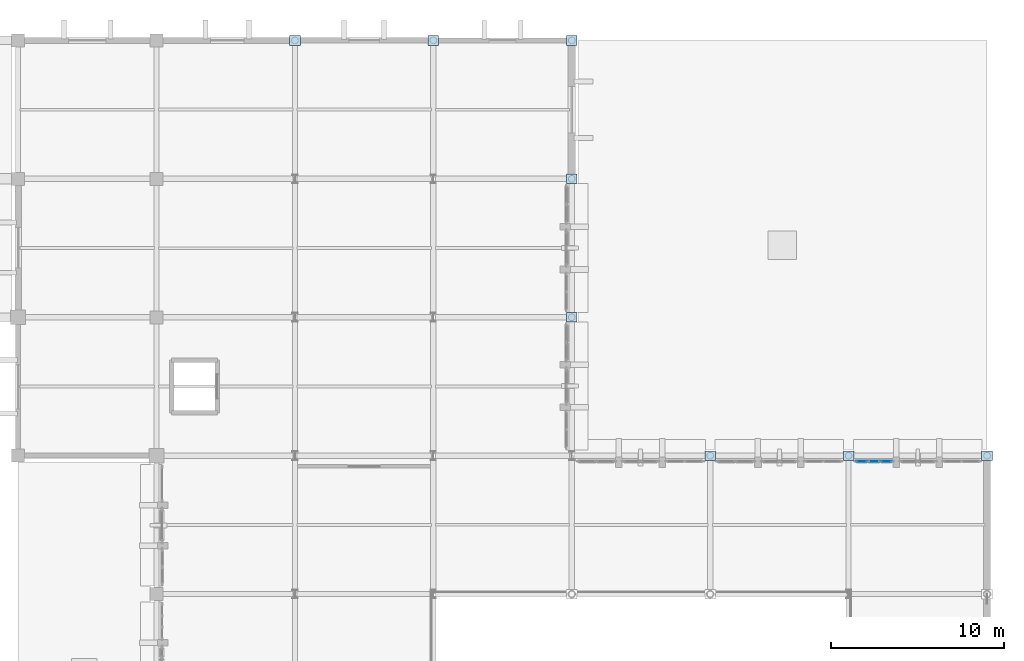
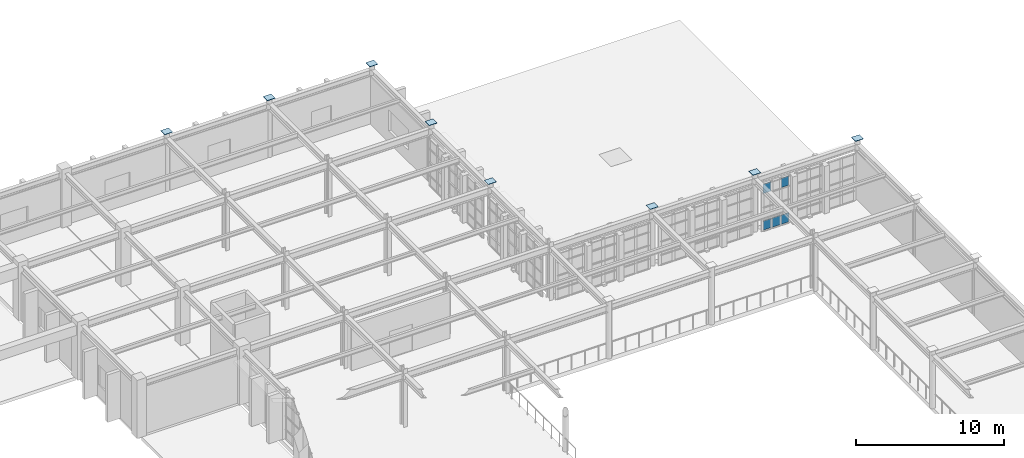
# One storey, part 132 of 155: 13 plates, 1 element without a shape of its own.
"""IFC4 building model written with IfcOpenShell, lengths in metres."""

from ifc_helpers import new_model, si_unit, direction, frame, origin, origin_2d, place, context, subcontext, project, spatial, rectangle, extrude, material, layer, layer_set, type_object, element, aggregate, save


model = new_model("IFC4")

# Units and contexts
model_context = context("Model", 3, precision=1e-05, world=origin(), true_north=direction((0.0, 1.0)))
body_context = subcontext(model_context, "Body", "Model", "MODEL_VIEW")
ifc_project = project(units=[si_unit("LENGTHUNIT", "METRE"), si_unit("AREAUNIT", "SQUARE_METRE"), si_unit("VOLUMEUNIT", "CUBIC_METRE"), si_unit("PLANEANGLEUNIT", "RADIAN"), si_unit("MASSUNIT", "GRAM", prefix="KILO")], contexts=[model_context])

# Site, building, storey
site_placement = place(None, origin())
site = spatial("IfcSite", under=ifc_project, at=site_placement, CompositionType="ELEMENT")
building_placement = place(site_placement, origin())
building = spatial("IfcBuilding", under=site, at=building_placement, Name="Tazarka Park Arena", CompositionType="ELEMENT")
storey_placement = place(building_placement, frame((0.0, 0.0, 5.39990234375)))
storey = spatial("IfcBuildingStorey", under=building, at=storey_placement, Name="L01", CompositionType="ELEMENT", Elevation=5.39990234375)

# Curtain wall, plates
ifc_material_1 = material(Name="Aluminium and low-e glass", Category="aluminium")
ifc_layer_1 = layer(ifc_material_1, 0.179931640625, Name="Aluminium and low-e glass")
ifc_layer_set_1 = layer_set([ifc_layer_1], Name="Aluminium and low-e glass")
curtain_wall_type = type_object("IfcCurtainWallType", Name="CW-10", PredefinedType="NOTDEFINED", material=ifc_layer_set_1)
curtain_wall_placement = place(storey_placement, origin())
curtain_wall = element("IfcCurtainWall", 1, at=curtain_wall_placement, inside=storey, type_object=curtain_wall_type, Name="Curtain Wall CWA-L01-190", PredefinedType="NOTDEFINED")
ifc_material_2 = material(Name="Triple acoustic solar glazing", Category="glass")
ifc_layer_2 = layer(ifc_material_2, 0.031982421875, Name="Triple acoustic solar glazing")
ifc_layer_set_2 = layer_set([ifc_layer_2], Name="Triple acoustic solar glazing")
plate_type_1 = type_object("IfcPlateType", Name="CWP-02", PredefinedType="CURTAIN_PANEL", material=ifc_layer_set_2)
plate_1_placement = place(storey_placement, frame((176.7607421875, 103.679931640625, 0.065185546875), z_axis=(0.0, 0.0, 1.0), x_axis=(1.0, 0.0, 0.0)))
plate_1 = element("IfcPlate", 2, at=plate_1_placement, type_object=plate_type_1, Name="CW-10 panel 1.1", PredefinedType="CURTAIN_PANEL", context=body_context, shape_type="SweptSolid", body=[
    extrude(rectangle(XDim=0.625244140625, YDim=0.031982421875, at=origin_2d()), origin(), (0.0, 0.0, 1.0), 0.75244140625),
])
plate_2_placement = place(storey_placement, frame((176.7607421875, 103.679931640625, 3.08251953125), z_axis=(0.0, 0.0, 1.0), x_axis=(1.0, 0.0, 0.0)))
plate_2 = element("IfcPlate", 3, at=plate_2_placement, type_object=plate_type_1, Name="CW-10 panel 1.4", PredefinedType="CURTAIN_PANEL", context=body_context, shape_type="SweptSolid", body=[
    extrude(rectangle(XDim=0.625244140625, YDim=0.031982421875, at=origin_2d()), origin(), (0.0, 0.0, 1.0), 0.762451171875),
])
plate_3_placement = place(storey_placement, frame((177.467041015625, 103.679931640625, 0.065185546875), z_axis=(0.0, 0.0, 1.0), x_axis=(1.0, 0.0, 0.0)))
plate_3 = element("IfcPlate", 4, at=plate_3_placement, type_object=plate_type_1, Name="CW-10 panel 2.1", PredefinedType="CURTAIN_PANEL", context=body_context, shape_type="SweptSolid", body=[
    extrude(rectangle(XDim=0.65771484375, YDim=0.031982421875, at=origin_2d()), origin(), (0.0, 0.0, 1.0), 0.75244140625),
])
plate_4_placement = place(storey_placement, frame((178.173583984375, 103.679931640625, 0.065185546875), z_axis=(0.0, 0.0, 1.0), x_axis=(1.0, 0.0, 0.0)))
plate_4 = element("IfcPlate", 5, at=plate_4_placement, type_object=plate_type_1, Name="CW-10 panel 3.1", PredefinedType="CURTAIN_PANEL", context=body_context, shape_type="SweptSolid", body=[
    extrude(rectangle(XDim=0.625244140625, YDim=0.031982421875, at=origin_2d()), origin(), (0.0, 0.0, 1.0), 0.75244140625),
])
plate_5_placement = place(storey_placement, frame((178.173583984375, 103.679931640625, 3.08251953125), z_axis=(0.0, 0.0, 1.0), x_axis=(1.0, 0.0, 0.0)))
plate_5 = element("IfcPlate", 6, at=plate_5_placement, type_object=plate_type_1, Name="CW-10 panel 3.4", PredefinedType="CURTAIN_PANEL", context=body_context, shape_type="SweptSolid", body=[
    extrude(rectangle(XDim=0.625244140625, YDim=0.031982421875, at=origin_2d()), origin(), (0.0, 0.0, 1.0), 0.762451171875),
])
aggregate(curtain_wall, [plate_1, plate_2, plate_3, plate_4, plate_5])

# Plates
ifc_material_3 = material(Name="Steel S460", Category="steel")
ifc_layer_3 = layer(ifc_material_3, 0.030029296875, Name="Steel S460")
ifc_layer_set_3 = layer_set([ifc_layer_3], Name="Steel S460")
plate_type_2 = type_object("IfcPlateType", Name="PLT-PL-01", PredefinedType="SHEET", material=ifc_layer_set_3)
for number, where, z_axis, x_axis, name in (
    (7, (144.0, 128.0, 4.80029296875), (0.0, 0.0, 1.0), (1.0, 0.0, 0.0), "CPL-L01-18-16"),
    (8, (152.0, 128.0, 4.80029296875), (0.0, 0.0, 1.0), (1.0, 0.0, 0.0), "CPL-L01-19-16"),
    (9, (160.0, 112.0, 4.80029296875), (0.0, 0.0, 1.0), (1.0, 0.0, 0.0), "CPL-L01-20-14"),
    (10, (160.0, 120.0, 4.80029296875), (0.0, 0.0, 1.0), (1.0, 0.0, 0.0), "CPL-L01-20-15"),
    (11, (160.0, 128.0, 4.80029296875), (0.0, 0.0, 1.0), (1.0, 0.0, 0.0), "CPL-L01-20-16"),
    (12, (168.0, 104.0, 4.80029296875), (0.0, 0.0, 1.0), (1.0, 0.0, 0.0), "CPL-L01-21-13"),
    (13, (176.0, 104.0, 4.80029296875), (0.0, 0.0, 1.0), (1.0, 0.0, 0.0), "CPL-L01-22-13"),
    (14, (184.0, 104.0, 4.80029296875), (0.0, 0.0, 1.0), (1.0, 0.0, 0.0), "CPL-L01-23-13"),
):
    element("IfcPlate", number, at=place(storey_placement, frame(where, z_axis=z_axis, x_axis=x_axis)), inside=storey, type_object=plate_type_2, Name=name, PredefinedType="SHEET", context=body_context, shape_type="SweptSolid", body=[
        extrude(rectangle(XDim=0.6201171875, YDim=0.56005859375, at=origin_2d()), origin(), (0.0, 0.0, 1.0), 0.030029296875),
    ])

save(model, "model.ifc")
